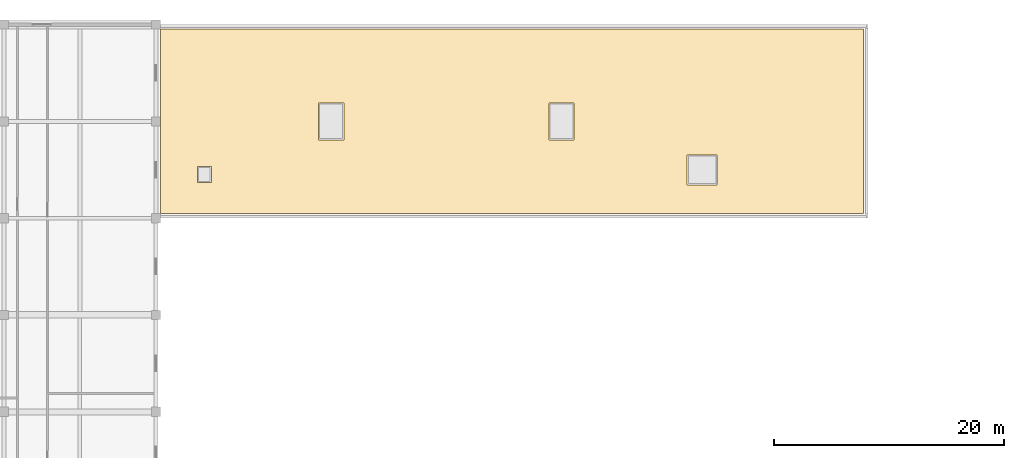
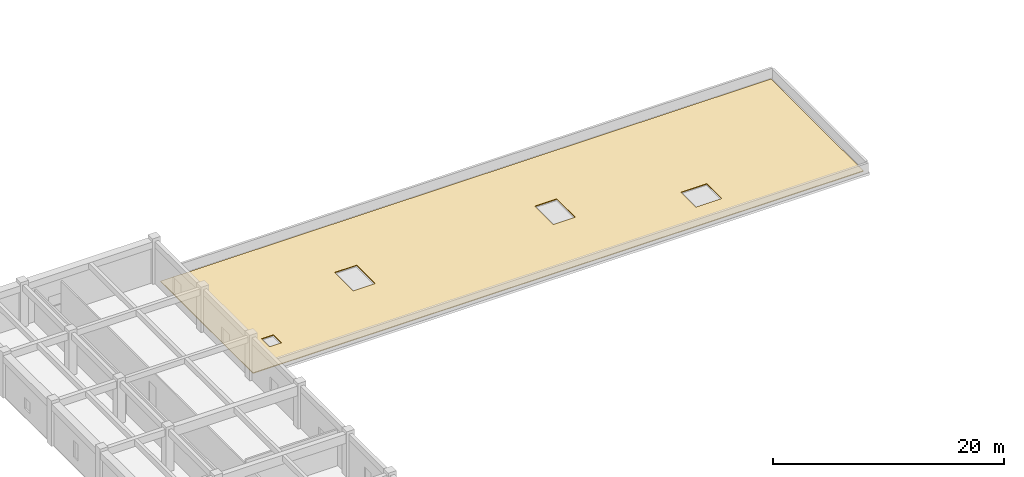
# One storey, part 64 of 65: 1 covering.
"""IFC4 building model written with IfcOpenShell, lengths in metres."""

from ifc_helpers import new_model, si_unit, direction, frame, origin, place, context, subcontext, project, spatial, polyline, outline, extrude, material, layer, layer_set, type_object, element, save


model = new_model("IFC4")

# Units and contexts
model_context = context("Model", 3, precision=1e-05, world=origin(), true_north=direction((0.0, 1.0)))
body_context = subcontext(model_context, "Body", "Model", "MODEL_VIEW")
ifc_project = project(units=[si_unit("LENGTHUNIT", "METRE"), si_unit("AREAUNIT", "SQUARE_METRE"), si_unit("VOLUMEUNIT", "CUBIC_METRE"), si_unit("PLANEANGLEUNIT", "RADIAN"), si_unit("MASSUNIT", "GRAM", prefix="KILO")], contexts=[model_context])

# Site, building, storey
site_placement = place(None, origin())
site = spatial("IfcSite", under=ifc_project, at=site_placement, CompositionType="ELEMENT")
building_placement = place(site_placement, origin())
building = spatial("IfcBuilding", under=site, at=building_placement, Name="Miralva Faculty of Natural Sciences", CompositionType="ELEMENT")
storey_placement = place(building_placement, frame((0.0, 0.0, 10.199951171875)))
storey = spatial("IfcBuildingStorey", under=building, at=storey_placement, Name="L02", CompositionType="ELEMENT", Elevation=10.199951171875)

# Covering
ifc_material = material(Name="Elastomeric waterproofing membrane")
ifc_layer = layer(ifc_material, 0.0849609375, Name="COV-RF01")
ifc_layer_set = layer_set([ifc_layer], Name="Elastomeric waterproofing membrane")
covering_type = type_object("IfcCoveringType", Name="COV-RF01", PredefinedType="ROOFING", material=ifc_layer_set)
covering_placement = place(storey_placement, origin())
element("IfcCovering", 1, at=covering_placement, inside=storey, type_object=covering_type, Name="Roof membrane and substrate L02-3", PredefinedType="ROOFING", context=body_context, shape_type="SweptSolid", body=[
    extrude(outline(polyline([(23.199951171875, 100.60009765625), (23.199951171875, 116.60009765625), (84.199951171875, 116.60009765625), (84.199951171875, 100.60009765625), (23.199951171875, 100.60009765625)]), holes=[polyline([(39.10009765625, 107.0), (39.10009765625, 110.199951171875), (36.89990234375, 110.199951171875), (36.89990234375, 107.0), (39.10009765625, 107.0)]), polyline([(56.89990234375, 107.0), (59.10009765625, 107.0), (59.10009765625, 110.199951171875), (56.89990234375, 110.199951171875), (56.89990234375, 107.0)]), polyline([(68.89990234375, 105.699951171875), (68.89990234375, 103.10009765625), (71.5, 103.10009765625), (71.5, 105.699951171875), (68.89990234375, 105.699951171875)]), polyline([(27.60009765625, 104.699951171875), (26.39990234375, 104.699951171875), (26.39990234375, 103.300048828125), (27.60009765625, 103.300048828125), (27.60009765625, 104.699951171875)])]), origin(), (0.0, 0.0, 1.0), 0.0849609375),
])

save(model, "model.ifc")
